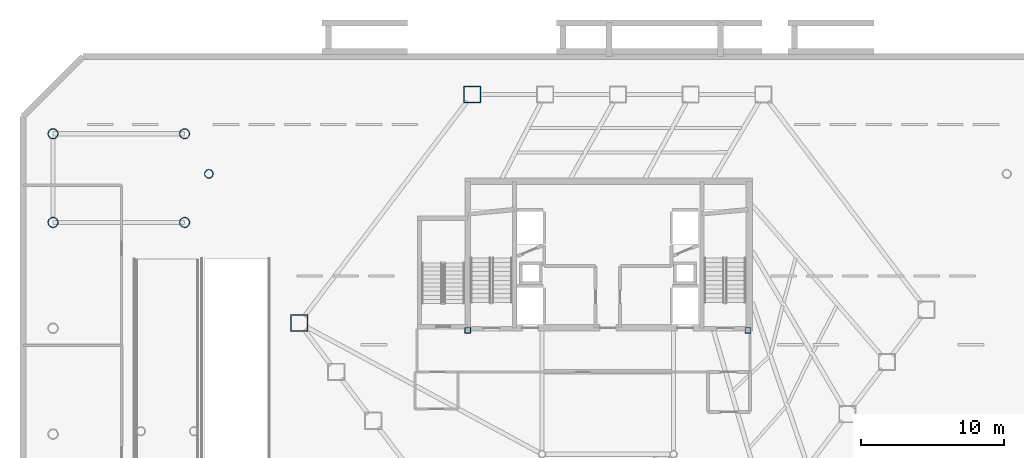
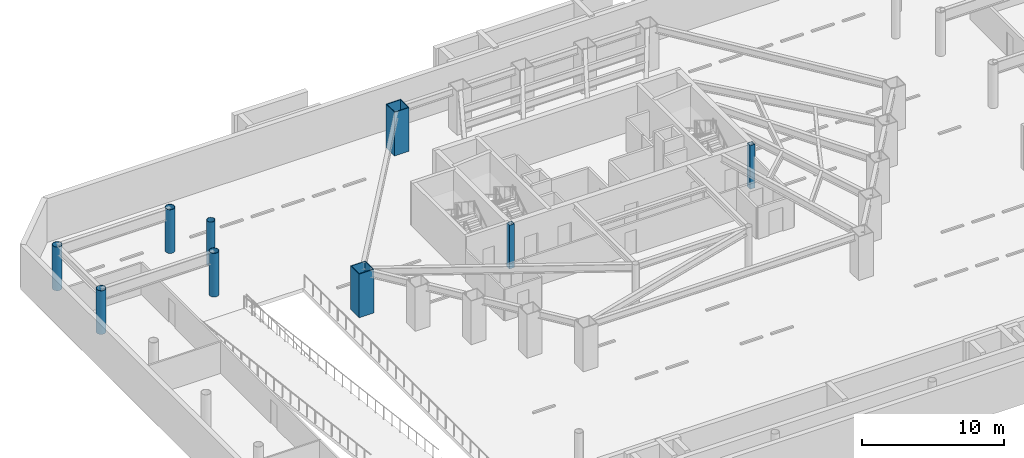
# One storey, part 3 of 15: 9 columns.
"""IFC4 building model written with IfcOpenShell, lengths in metres."""

import ifcopenshell
import ifcopenshell.guid

model = None  # the IFC model being written
_history = None  # IfcOwnerHistory: only IFC2X3 demands one
_inside = {}  # id of a spatial element -> (the spatial element, [elements in it])
_under = {}  # id of a project, library or spatial element -> (it, [spatial elements below it])
_declared = {}  # id of a project -> (the project, [libraries it declares])
_typed = {}  # id of a type object -> (the type object, [elements of that type])
_made_of = {}  # id of a material, layer set ... -> (it, [elements and type objects made of it])


def new_model(schema):
    """Start an empty IFC model of exactly this schema.

    Asked for "IFC4X3", IfcOpenShell would pick the latest addendum, in which some entities
    have other attributes; the version numbers below select the first issue.
    IFC2X3 requires an IfcOwnerHistory on every rooted entity: one is made here for all.
    """
    global model, _history
    if schema == "IFC4X3":
        model = ifcopenshell.file(schema_version=(4, 3, 0, 0))
    else:
        model = ifcopenshell.file(schema=schema)
    _inside.clear()
    _under.clear()
    _declared.clear()
    _typed.clear()
    _made_of.clear()
    _history = None
    if model.schema == "IFC2X3":
        org = make("IfcOrganization", Name="unknown")
        user = make(
            "IfcPersonAndOrganization",
            ThePerson=make("IfcPerson", FamilyName="unknown"),
            TheOrganization=org,
        )
        app = make(
            "IfcApplication",
            ApplicationDeveloper=org,
            Version="unknown",
            ApplicationFullName="unknown",
            ApplicationIdentifier="unknown",
        )
        _history = make(
            "IfcOwnerHistory",
            OwningUser=user,
            OwningApplication=app,
            ChangeAction="ADDED",
            CreationDate=0,
        )
    return model


def make(cls, **values):
    """One entity of the class cls with the attributes given. An attribute that is None is left unset."""
    return model.create_entity(
        cls, **{name: value for name, value in values.items() if value is not None}
    )


def rooted(cls, **values):
    """An entity with a GlobalId (a new one), such as an element, a storey or a relation."""
    return make(cls, GlobalId=ifcopenshell.guid.new(), OwnerHistory=_history, **values)


def si_unit(unit_type, name, prefix=None):
    """IfcSIUnit, for example si_unit("LENGTHUNIT", "METRE", prefix="MILLI")."""
    return make("IfcSIUnit", UnitType=unit_type, Prefix=prefix, Name=name)


def assignment(units):
    """IfcUnitAssignment: the units of a project."""
    return None if units is None else make("IfcUnitAssignment", Units=units)


def point(xyz):
    """IfcCartesianPoint."""
    return None if xyz is None else make("IfcCartesianPoint", Coordinates=xyz)


def direction(xyz):
    """IfcDirection."""
    return None if xyz is None else make("IfcDirection", DirectionRatios=xyz)


def frame(location, z_axis=None, x_axis=None):
    """IfcAxis2Placement3D, a coordinate frame: its origin and axes. An axis left out is left unset."""
    return make(
        "IfcAxis2Placement3D",
        Location=point(location),
        Axis=direction(z_axis),
        RefDirection=direction(x_axis),
    )


def frame_2d(location, x_axis=None):
    """IfcAxis2Placement2D, a coordinate frame in the plane: its origin and x axis."""
    return make(
        "IfcAxis2Placement2D", Location=point(location), RefDirection=direction(x_axis)
    )


def origin():
    """The frame at (0, 0, 0) with its axes left unset."""
    return frame((0.0, 0.0, 0.0))


def origin_2d():
    """The frame at (0, 0) in the plane with its x axis left unset."""
    return frame_2d((0.0, 0.0))


def place(relative_to, where):
    """IfcLocalPlacement: puts the frame where relative to a parent placement (None: the world)."""
    return make(
        "IfcLocalPlacement", PlacementRelTo=relative_to, RelativePlacement=where
    )


def context(
    kind, dimensions, precision=None, world=None, true_north=None, identifier=None
):
    """IfcGeometricRepresentationContext, for example the 3D "Model" context."""
    return make(
        "IfcGeometricRepresentationContext",
        ContextIdentifier=identifier,
        ContextType=kind,
        CoordinateSpaceDimension=dimensions,
        Precision=precision,
        WorldCoordinateSystem=world,
        TrueNorth=true_north,
    )


def subcontext(parent, identifier, kind, view, scale=None):
    """IfcGeometricRepresentationSubContext, for example "Body" below "Model"."""
    return make(
        "IfcGeometricRepresentationSubContext",
        ContextIdentifier=identifier,
        ContextType=kind,
        ParentContext=parent,
        TargetScale=scale,
        TargetView=view,
    )


def project(units=None, contexts=None):
    """IfcProject with its units and contexts."""
    return rooted(
        "IfcProject",
        Name="project",
        RepresentationContexts=contexts,
        UnitsInContext=assignment(units),
    )


def spatial(cls, under=None, at=None, **own):
    """A site, building, storey or space (cls), placed at a placement, below another one or the project."""
    s = rooted(cls, ObjectPlacement=at, **own)
    if under is not None:
        _under.setdefault(under.id(), (under, []))[1].append(s)
    return s


def profile(cls, at=None, kind="AREA", **sizes):
    """A parametric profile (cls). Its sizes go by their IFC names, for example OverallWidth=200.0."""
    return make(cls, ProfileType=kind, Position=at, **sizes)


def hollow_rectangle(**sizes):
    """IfcRectangleHollowProfileDef."""
    return profile("IfcRectangleHollowProfileDef", **sizes)


def hollow_circle(**sizes):
    """IfcCircleHollowProfileDef."""
    return profile("IfcCircleHollowProfileDef", **sizes)


def extrude(swept, where, along, depth):
    """IfcExtrudedAreaSolid: the profile swept, set in the frame where, extruded along a direction by depth."""
    return make(
        "IfcExtrudedAreaSolid",
        SweptArea=swept,
        Position=where,
        ExtrudedDirection=direction(along),
        Depth=depth,
    )


def shape(context_of_items, identifier, shape_type, items):
    """IfcShapeRepresentation: the items that make up one representation, for example the "Body"."""
    return make(
        "IfcShapeRepresentation",
        ContextOfItems=context_of_items,
        RepresentationIdentifier=identifier,
        RepresentationType=shape_type,
        Items=items,
    )


def material(Name=None, Category=None):
    """IfcMaterial."""
    return make("IfcMaterial", Name=Name, Category=Category)


def material_profile(
    of_material, cross_section, Name=None, Category=None, Priority=None
):
    """IfcMaterialProfile: a cross section and its material."""
    return make(
        "IfcMaterialProfile",
        Name=Name,
        Material=of_material,
        Profile=cross_section,
        Priority=Priority,
        Category=Category,
    )


def profile_set(profiles, Name=None, composite=None):
    """IfcMaterialProfileSet."""
    return make(
        "IfcMaterialProfileSet",
        Name=Name,
        MaterialProfiles=profiles,
        CompositeProfile=composite,
    )


def made_of(thing, what):
    """Note that an element or type object is made of a material, layer set ...; save() writes the relation."""
    if what is not None:
        _made_of.setdefault(what.id(), (what, []))[1].append(thing)
    return thing


def type_object(cls, material=None, **own):
    """A type object (cls), such as IfcWallType, which elements share."""
    return made_of(rooted(cls, **own), material)


def element(
    cls,
    number,
    at=None,
    inside=None,
    cuts=None,
    type_object=None,
    material=None,
    context=None,
    identifier="Body",
    shape_type=None,
    held_by="IfcProductDefinitionShape",
    body=None,
    shapes=None,
    **own,
):
    """One element of the class cls, such as IfcWall. Its Tag is "e" and its number.

    at: its placement. inside: the storey or other place that contains it. cuts: it is an
    opening in that element (IfcRelVoidsElement). A single representation is given by context,
    identifier, shape_type and body (its items); several are given by shapes. held_by: the class
    of the entity that holds the representations. save() writes the other relations.
    """
    e = rooted(cls, Tag="e%d" % number, ObjectPlacement=at, **own)
    if body is not None:
        shapes = [shape(context, identifier, shape_type, body)]
    if shapes is not None:
        e.Representation = make(held_by, Representations=shapes)
    if inside is not None:
        _inside.setdefault(inside.id(), (inside, []))[1].append(e)
    if cuts is not None:
        rooted(
            "IfcRelVoidsElement", RelatingBuildingElement=cuts, RelatedOpeningElement=e
        )
    if type_object is not None:
        _typed.setdefault(type_object.id(), (type_object, []))[1].append(e)
    return made_of(e, material)


def aggregate(whole, parts):
    """IfcRelAggregates: a whole, such as a stair, and the parts it consists of."""
    return rooted("IfcRelAggregates", RelatingObject=whole, RelatedObjects=parts)


def save(model, path):
    """Write the relations noted so far, then the file.

    IfcRelAggregates (storeys below a building ...), IfcRelContainedInSpatialStructure (elements
    in a storey), IfcRelDefinesByType, IfcRelAssociatesMaterial and IfcRelDeclares: one each for
    every whole, place, type object, material and project.
    """
    for whole, parts in _under.values():
        aggregate(whole, parts)
    for where, things in _inside.values():
        rooted(
            "IfcRelContainedInSpatialStructure",
            RelatedElements=things,
            RelatingStructure=where,
        )
    for kind, things in _typed.values():
        rooted("IfcRelDefinesByType", RelatedObjects=things, RelatingType=kind)
    for what, things in _made_of.values():
        rooted("IfcRelAssociatesMaterial", RelatedObjects=things, RelatingMaterial=what)
    for by, libraries in _declared.values():
        rooted("IfcRelDeclares", RelatingContext=by, RelatedDefinitions=libraries)
    model.write(path)


model = new_model("IFC4")

# Units and contexts
model_context = context("Model", 3, precision=1e-05, world=origin(), true_north=direction((0.0, 1.0)))
body_context = subcontext(model_context, "Body", "Model", "MODEL_VIEW")
ifc_project = project(units=[si_unit("LENGTHUNIT", "METRE"), si_unit("AREAUNIT", "SQUARE_METRE"), si_unit("VOLUMEUNIT", "CUBIC_METRE"), si_unit("PLANEANGLEUNIT", "RADIAN"), si_unit("MASSUNIT", "GRAM", prefix="KILO")], contexts=[model_context])

# Site, building, storey
site_placement = place(None, origin())
site = spatial("IfcSite", under=ifc_project, at=site_placement, CompositionType="ELEMENT")
building_placement = place(site_placement, origin())
building = spatial("IfcBuilding", under=site, at=building_placement, Name="Zarrinselat Tower", CompositionType="ELEMENT")
storey_placement = place(building_placement, frame((0.0, 0.0, -4.080078125)))
storey = spatial("IfcBuildingStorey", under=building, at=storey_placement, Name="B01", CompositionType="ELEMENT", Elevation=-4.080078125)

# Columns
ifc_material_1 = material(Name="Steel S355J2", Category="steel")
ifc_material_profile_1 = material_profile(ifc_material_1, hollow_circle(Radius=0.304931640625, WallThickness=0.02490234375, at=origin_2d()), Name="CHS 610x25")
ifc_profile_set_1 = profile_set([ifc_material_profile_1], Name="Steel S355J2")
column_type_1 = type_object("IfcColumnType", Name="COL-CHS610", PredefinedType="COLUMN", material=ifc_profile_set_1)
column_placement = place(storey_placement, frame((10.5, 44.0, 0.0), z_axis=(0.0, 0.0, 1.0), x_axis=(1.0, 0.0, 0.0)))
element("IfcColumn", 1, at=column_placement, inside=storey, type_object=column_type_1, Name="B01 Garden Deck Support Column 3", PredefinedType="COLUMN", context=body_context, shape_type="SweptSolid", body=[
    extrude(hollow_circle(Radius=0.304931640625, WallThickness=0.02490234375, at=origin_2d()), origin(), (0.0, 0.0, 1.0), 3.760009765625),
])
ifc_material_2 = material(Name="Steel S460M", Category="steel")
ifc_material_profile_2 = material_profile(ifc_material_2, hollow_circle(Radius=0.35546875, WallThickness=0.030029296875, at=origin_2d()), Name="CHS 711x30")
ifc_profile_set_2 = profile_set([ifc_material_profile_2], Name="Steel S460M")
column_type_2 = type_object("IfcColumnType", Name="COL-CHS711", PredefinedType="COLUMN", material=ifc_profile_set_2)
for number, where, z_axis, x_axis, name in (
    (2, (-0.39990234375, 40.60009765625, 0.0), (0.0, 0.0, 1.0), (1.0, 0.0, 0.0), "B01 Podium Outer Column W-40"),
    (3, (8.800048828125, 40.60009765625, 0.0), (0.0, 0.0, 1.0), (1.0, 0.0, 0.0), "B01 Podium Anchor Column W-40"),
    (4, (-0.39990234375, 46.800048828125, 0.0), (0.0, 0.0, 1.0), (1.0, 0.0, 0.0), "B01 Podium Outer Column W-46"),
    (5, (8.800048828125, 46.800048828125, 0.0), (0.0, 0.0, 1.0), (1.0, 0.0, 0.0), "B01 Podium Anchor Column W-46"),
):
    element("IfcColumn", number, at=place(storey_placement, frame(where, z_axis=z_axis, x_axis=x_axis)), inside=storey, type_object=column_type_2, Name=name, PredefinedType="COLUMN", context=body_context, shape_type="SweptSolid", body=[
        extrude(hollow_circle(Radius=0.35546875, WallThickness=0.030029296875, at=origin_2d()), origin(), (0.0, 0.0, 1.0), 3.760009765625),
    ])
ifc_material_3 = material(Name="Steel S460M", Category="steel")
ifc_material_profile_3 = material_profile(ifc_material_3, hollow_rectangle(XDim=1.199951171875, YDim=1.199951171875, WallThickness=0.06005859375, at=origin_2d()), Name="SHS 1200x1200x60")
ifc_profile_set_3 = profile_set([ifc_material_profile_3], Name="Steel S460M")
column_type_3 = type_object("IfcColumnType", Name="COL-SHS1200", PredefinedType="COLUMN", material=ifc_profile_set_3)
for number, where, z_axis, x_axis, name in (
    (6, (28.923095703125, 49.550048828125, 0.0), (0.0, 0.0, 1.0), (1.0, 0.0, 0.0), "B01 Framed-Tube Column T05"),
    (7, (16.8154296875, 33.568115234375, 0.0), (0.0, 0.0, 1.0), (1.0, 0.0, 0.0), "B01 Framed-Tube Column T06"),
):
    element("IfcColumn", number, at=place(storey_placement, frame(where, z_axis=z_axis, x_axis=x_axis)), inside=storey, type_object=column_type_3, Name=name, PredefinedType="COLUMN", context=body_context, shape_type="SweptSolid", body=[
        extrude(hollow_rectangle(XDim=1.199951171875, YDim=1.199951171875, WallThickness=0.06005859375, at=origin_2d()), origin(), (0.0, 0.0, 1.0), 3.760009765625),
    ])
ifc_material_4 = material(Name="Steel S355J2", Category="steel")
ifc_material_profile_4 = material_profile(ifc_material_4, hollow_rectangle(XDim=0.39990234375, YDim=0.39990234375, WallThickness=0.02001953125, at=origin_2d()), Name="SHS 400x400x20")
ifc_profile_set_4 = profile_set([ifc_material_profile_4], Name="Steel S355J2")
column_type_4 = type_object("IfcColumnType", Name="COL-SHS400", PredefinedType="PILASTER", material=ifc_profile_set_4)
for number, where, z_axis, x_axis, name in (
    (8, (28.60009765625, 33.050048828125, 0.0), (0.0, 0.0, 1.0), (1.0, 0.0, 0.0), "B01 Gallery Structural Pilaster 1"),
    (9, (48.199951171875, 33.050048828125, 0.0), (0.0, 0.0, 1.0), (1.0, 0.0, 0.0), "B01 Gallery Structural Pilaster 2"),
):
    element("IfcColumn", number, at=place(storey_placement, frame(where, z_axis=z_axis, x_axis=x_axis)), inside=storey, type_object=column_type_4, Name=name, PredefinedType="PILASTER", context=body_context, shape_type="SweptSolid", body=[
        extrude(hollow_rectangle(XDim=0.39990234375, YDim=0.39990234375, WallThickness=0.02001953125, at=origin_2d()), origin(), (0.0, 0.0, 1.0), 3.760009765625),
    ])

save(model, "model.ifc")
